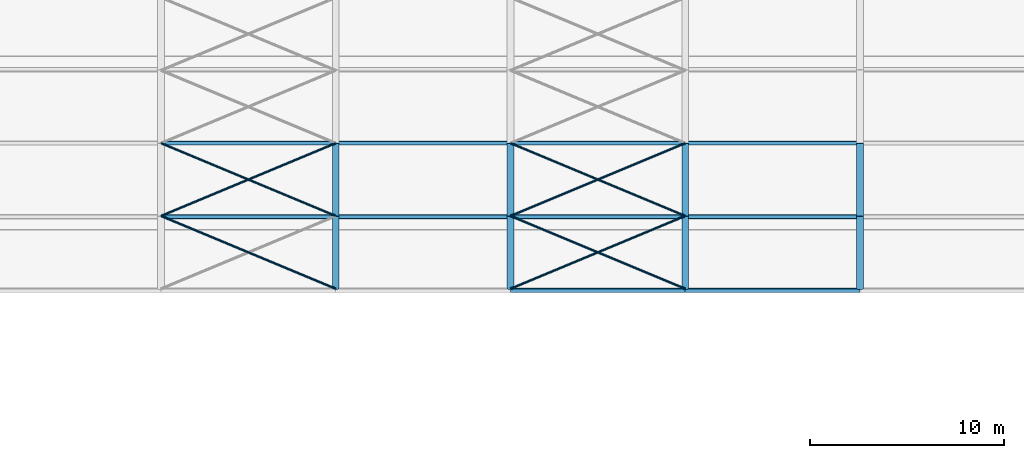
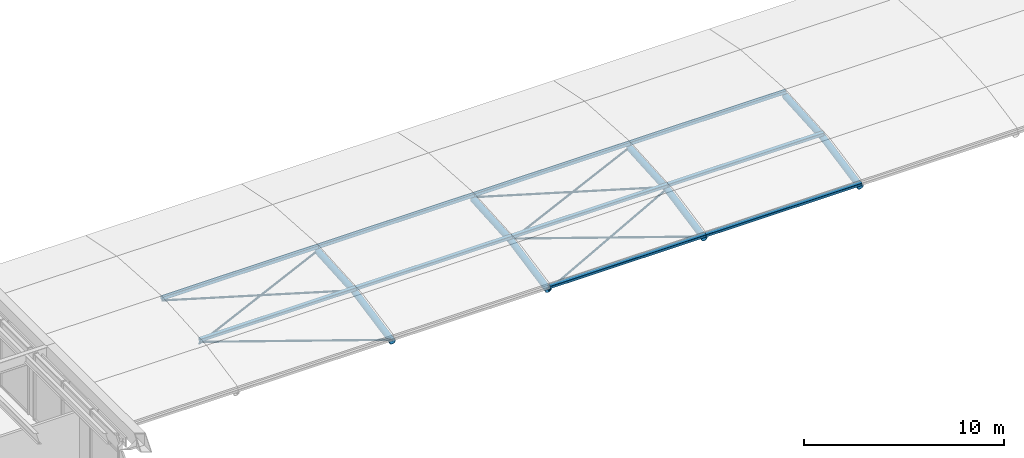
# One storey, part 5 of 43: 25 members.
"""IFC4 building model written with IfcOpenShell, lengths in metres."""

import ifcopenshell
import ifcopenshell.guid

model = None  # the IFC model being written
_history = None  # IfcOwnerHistory: only IFC2X3 demands one
_inside = {}  # id of a spatial element -> (the spatial element, [elements in it])
_under = {}  # id of a project, library or spatial element -> (it, [spatial elements below it])
_declared = {}  # id of a project -> (the project, [libraries it declares])
_typed = {}  # id of a type object -> (the type object, [elements of that type])
_made_of = {}  # id of a material, layer set ... -> (it, [elements and type objects made of it])


def new_model(schema):
    """Start an empty IFC model of exactly this schema.

    Asked for "IFC4X3", IfcOpenShell would pick the latest addendum, in which some entities
    have other attributes; the version numbers below select the first issue.
    IFC2X3 requires an IfcOwnerHistory on every rooted entity: one is made here for all.
    """
    global model, _history
    if schema == "IFC4X3":
        model = ifcopenshell.file(schema_version=(4, 3, 0, 0))
    else:
        model = ifcopenshell.file(schema=schema)
    _inside.clear()
    _under.clear()
    _declared.clear()
    _typed.clear()
    _made_of.clear()
    _history = None
    if model.schema == "IFC2X3":
        org = make("IfcOrganization", Name="unknown")
        user = make(
            "IfcPersonAndOrganization",
            ThePerson=make("IfcPerson", FamilyName="unknown"),
            TheOrganization=org,
        )
        app = make(
            "IfcApplication",
            ApplicationDeveloper=org,
            Version="unknown",
            ApplicationFullName="unknown",
            ApplicationIdentifier="unknown",
        )
        _history = make(
            "IfcOwnerHistory",
            OwningUser=user,
            OwningApplication=app,
            ChangeAction="ADDED",
            CreationDate=0,
        )
    return model


def make(cls, **values):
    """One entity of the class cls with the attributes given. An attribute that is None is left unset."""
    return model.create_entity(
        cls, **{name: value for name, value in values.items() if value is not None}
    )


def rooted(cls, **values):
    """An entity with a GlobalId (a new one), such as an element, a storey or a relation."""
    return make(cls, GlobalId=ifcopenshell.guid.new(), OwnerHistory=_history, **values)


def si_unit(unit_type, name, prefix=None):
    """IfcSIUnit, for example si_unit("LENGTHUNIT", "METRE", prefix="MILLI")."""
    return make("IfcSIUnit", UnitType=unit_type, Prefix=prefix, Name=name)


def assignment(units):
    """IfcUnitAssignment: the units of a project."""
    return None if units is None else make("IfcUnitAssignment", Units=units)


def point(xyz):
    """IfcCartesianPoint."""
    return None if xyz is None else make("IfcCartesianPoint", Coordinates=xyz)


def direction(xyz):
    """IfcDirection."""
    return None if xyz is None else make("IfcDirection", DirectionRatios=xyz)


def frame(location, z_axis=None, x_axis=None):
    """IfcAxis2Placement3D, a coordinate frame: its origin and axes. An axis left out is left unset."""
    return make(
        "IfcAxis2Placement3D",
        Location=point(location),
        Axis=direction(z_axis),
        RefDirection=direction(x_axis),
    )


def frame_2d(location, x_axis=None):
    """IfcAxis2Placement2D, a coordinate frame in the plane: its origin and x axis."""
    return make(
        "IfcAxis2Placement2D", Location=point(location), RefDirection=direction(x_axis)
    )


def origin():
    """The frame at (0, 0, 0) with its axes left unset."""
    return frame((0.0, 0.0, 0.0))


def origin_2d():
    """The frame at (0, 0) in the plane with its x axis left unset."""
    return frame_2d((0.0, 0.0))


def place(relative_to, where):
    """IfcLocalPlacement: puts the frame where relative to a parent placement (None: the world)."""
    return make(
        "IfcLocalPlacement", PlacementRelTo=relative_to, RelativePlacement=where
    )


def context(
    kind, dimensions, precision=None, world=None, true_north=None, identifier=None
):
    """IfcGeometricRepresentationContext, for example the 3D "Model" context."""
    return make(
        "IfcGeometricRepresentationContext",
        ContextIdentifier=identifier,
        ContextType=kind,
        CoordinateSpaceDimension=dimensions,
        Precision=precision,
        WorldCoordinateSystem=world,
        TrueNorth=true_north,
    )


def subcontext(parent, identifier, kind, view, scale=None):
    """IfcGeometricRepresentationSubContext, for example "Body" below "Model"."""
    return make(
        "IfcGeometricRepresentationSubContext",
        ContextIdentifier=identifier,
        ContextType=kind,
        ParentContext=parent,
        TargetScale=scale,
        TargetView=view,
    )


def project(units=None, contexts=None):
    """IfcProject with its units and contexts."""
    return rooted(
        "IfcProject",
        Name="project",
        RepresentationContexts=contexts,
        UnitsInContext=assignment(units),
    )


def spatial(cls, under=None, at=None, **own):
    """A site, building, storey or space (cls), placed at a placement, below another one or the project."""
    s = rooted(cls, ObjectPlacement=at, **own)
    if under is not None:
        _under.setdefault(under.id(), (under, []))[1].append(s)
    return s


def profile(cls, at=None, kind="AREA", **sizes):
    """A parametric profile (cls). Its sizes go by their IFC names, for example OverallWidth=200.0."""
    return make(cls, ProfileType=kind, Position=at, **sizes)


def hollow_rectangle(**sizes):
    """IfcRectangleHollowProfileDef."""
    return profile("IfcRectangleHollowProfileDef", **sizes)


def hollow_circle(**sizes):
    """IfcCircleHollowProfileDef."""
    return profile("IfcCircleHollowProfileDef", **sizes)


def extrude(swept, where, along, depth):
    """IfcExtrudedAreaSolid: the profile swept, set in the frame where, extruded along a direction by depth."""
    return make(
        "IfcExtrudedAreaSolid",
        SweptArea=swept,
        Position=where,
        ExtrudedDirection=direction(along),
        Depth=depth,
    )


def shape(context_of_items, identifier, shape_type, items):
    """IfcShapeRepresentation: the items that make up one representation, for example the "Body"."""
    return make(
        "IfcShapeRepresentation",
        ContextOfItems=context_of_items,
        RepresentationIdentifier=identifier,
        RepresentationType=shape_type,
        Items=items,
    )


def material(Name=None, Category=None):
    """IfcMaterial."""
    return make("IfcMaterial", Name=Name, Category=Category)


def material_profile(
    of_material, cross_section, Name=None, Category=None, Priority=None
):
    """IfcMaterialProfile: a cross section and its material."""
    return make(
        "IfcMaterialProfile",
        Name=Name,
        Material=of_material,
        Profile=cross_section,
        Priority=Priority,
        Category=Category,
    )


def profile_set(profiles, Name=None, composite=None):
    """IfcMaterialProfileSet."""
    return make(
        "IfcMaterialProfileSet",
        Name=Name,
        MaterialProfiles=profiles,
        CompositeProfile=composite,
    )


def made_of(thing, what):
    """Note that an element or type object is made of a material, layer set ...; save() writes the relation."""
    if what is not None:
        _made_of.setdefault(what.id(), (what, []))[1].append(thing)
    return thing


def type_object(cls, material=None, **own):
    """A type object (cls), such as IfcWallType, which elements share."""
    return made_of(rooted(cls, **own), material)


def element(
    cls,
    number,
    at=None,
    inside=None,
    cuts=None,
    type_object=None,
    material=None,
    context=None,
    identifier="Body",
    shape_type=None,
    held_by="IfcProductDefinitionShape",
    body=None,
    shapes=None,
    **own,
):
    """One element of the class cls, such as IfcWall. Its Tag is "e" and its number.

    at: its placement. inside: the storey or other place that contains it. cuts: it is an
    opening in that element (IfcRelVoidsElement). A single representation is given by context,
    identifier, shape_type and body (its items); several are given by shapes. held_by: the class
    of the entity that holds the representations. save() writes the other relations.
    """
    e = rooted(cls, Tag="e%d" % number, ObjectPlacement=at, **own)
    if body is not None:
        shapes = [shape(context, identifier, shape_type, body)]
    if shapes is not None:
        e.Representation = make(held_by, Representations=shapes)
    if inside is not None:
        _inside.setdefault(inside.id(), (inside, []))[1].append(e)
    if cuts is not None:
        rooted(
            "IfcRelVoidsElement", RelatingBuildingElement=cuts, RelatedOpeningElement=e
        )
    if type_object is not None:
        _typed.setdefault(type_object.id(), (type_object, []))[1].append(e)
    return made_of(e, material)


def aggregate(whole, parts):
    """IfcRelAggregates: a whole, such as a stair, and the parts it consists of."""
    return rooted("IfcRelAggregates", RelatingObject=whole, RelatedObjects=parts)


def save(model, path):
    """Write the relations noted so far, then the file.

    IfcRelAggregates (storeys below a building ...), IfcRelContainedInSpatialStructure (elements
    in a storey), IfcRelDefinesByType, IfcRelAssociatesMaterial and IfcRelDeclares: one each for
    every whole, place, type object, material and project.
    """
    for whole, parts in _under.values():
        aggregate(whole, parts)
    for where, things in _inside.values():
        rooted(
            "IfcRelContainedInSpatialStructure",
            RelatedElements=things,
            RelatingStructure=where,
        )
    for kind, things in _typed.values():
        rooted("IfcRelDefinesByType", RelatedObjects=things, RelatingType=kind)
    for what, things in _made_of.values():
        rooted("IfcRelAssociatesMaterial", RelatedObjects=things, RelatingMaterial=what)
    for by, libraries in _declared.values():
        rooted("IfcRelDeclares", RelatingContext=by, RelatedDefinitions=libraries)
    model.write(path)


model = new_model("IFC4")

# Units and contexts
model_context = context("Model", 3, precision=1e-05, world=origin(), true_north=direction((0.0, 1.0)))
body_context = subcontext(model_context, "Body", "Model", "MODEL_VIEW")
ifc_project = project(units=[si_unit("LENGTHUNIT", "METRE"), si_unit("AREAUNIT", "SQUARE_METRE"), si_unit("VOLUMEUNIT", "CUBIC_METRE"), si_unit("PLANEANGLEUNIT", "RADIAN"), si_unit("MASSUNIT", "GRAM", prefix="KILO")], contexts=[model_context])

# Site, building, storey
site_placement = place(None, origin())
site = spatial("IfcSite", under=ifc_project, at=site_placement, CompositionType="ELEMENT")
building_placement = place(site_placement, origin())
building = spatial("IfcBuilding", under=site, at=building_placement, Name="Baradari Gate Terminus", CompositionType="ELEMENT")
storey_placement = place(building_placement, frame((0.0, 0.0, 20.10009765625)))
storey = spatial("IfcBuildingStorey", under=building, at=storey_placement, Name="L04", CompositionType="ELEMENT", Elevation=20.10009765625)

# Members
ifc_material_1 = material(Name="Steel S355", Category="steel")
ifc_material_profile_1 = material_profile(ifc_material_1, hollow_rectangle(XDim=0.199951171875, YDim=0.199951171875, WallThickness=0.008056640625, InnerFilletRadius=0.008056640625, OuterFilletRadius=0.01611328125, at=origin_2d()), Name="SHS 200x200x8")
ifc_profile_set_1 = profile_set([ifc_material_profile_1], Name="Steel S355")
member_type_1 = type_object("IfcMemberType", Name="Shed purlin SHS 200x200x8", PredefinedType="PURLIN", material=ifc_profile_set_1)
for number, where, z_axis, x_axis, name in (
    (1, (99.0, 54.715087890625, 0.75), (1.0, 0.0, 0.0), (0.0, 0.99130302961, 0.131599025396), "TR/L04/B108-PU05"),
    (2, (99.0, 58.5, 1.002197265625), (1.0, 0.0, 0.0), (0.0, 1.0, 0.0), "TR/L04/B108-PU06"),
    (3, (108.0, 54.715087890625, 0.75), (1.0, 0.0, 0.0), (0.0, 0.99130302961, 0.131599025396), "TR/L04/B117-PU05"),
    (4, (108.0, 58.5, 1.002197265625), (1.0, 0.0, 0.0), (0.0, 1.0, 0.0), "TR/L04/B117-PU06"),
    (5, (117.0, 50.931884765625, -0.006591796875), (1.0, 0.0, 0.0), (0.0, 0.966499648767, 0.256667935149), "TR/L04/B126-PU04"),
    (6, (117.0, 54.715087890625, 0.75), (1.0, 0.0, 0.0), (0.0, 0.99130302961, 0.131599025396), "TR/L04/B126-PU05"),
    (7, (117.0, 58.5, 1.002197265625), (1.0, 0.0, 0.0), (0.0, 1.0, 0.0), "TR/L04/B126-PU06"),
    (8, (126.0, 50.931884765625, -0.006591796875), (1.0, 0.0, 0.0), (0.0, 0.966499648767, 0.256667935149), "TR/L04/B135-PU04"),
    (9, (126.0, 54.715087890625, 0.75), (1.0, 0.0, 0.0), (0.0, 0.99130302961, 0.131599025396), "TR/L04/B135-PU05"),
    (10, (126.0, 58.5, 1.002197265625), (1.0, 0.0, 0.0), (0.0, 1.0, 0.0), "TR/L04/B135-PU06"),
):
    element("IfcMember", number, at=place(storey_placement, frame(where, z_axis=z_axis, x_axis=x_axis)), inside=storey, type_object=member_type_1, Name=name, PredefinedType="PURLIN", context=body_context, shape_type="SweptSolid", body=[
        extrude(hollow_rectangle(XDim=0.199951171875, YDim=0.199951171875, WallThickness=0.008056640625, InnerFilletRadius=0.008056640625, OuterFilletRadius=0.01611328125, at=origin_2d()), origin(), (0.0, 0.0, 1.0), 9.0),
    ])
ifc_material_2 = material(Name="Steel S355", Category="steel")
ifc_material_profile_2 = material_profile(ifc_material_2, hollow_circle(Radius=0.05712890625, WallThickness=0.00634765625, at=origin_2d()), Name="CHS 114.3x6.3")
ifc_profile_set_2 = profile_set([ifc_material_profile_2], Name="Steel S355")
member_type_2 = type_object("IfcMemberType", Name="Shed roof brace CHS 114.3x6.3", PredefinedType="BRACE", material=ifc_profile_set_2)
member_1_placement = place(storey_placement, frame((108.0, 51.0, -0.1494140625), z_axis=(-0.920357986617, 0.383482494424, 0.076696498885), x_axis=(-0.384615384615, -0.923076923077, 0.0)))
element("IfcMember", 11, at=member_1_placement, inside=storey, type_object=member_type_2, Name="TR/L04/B108-RB04B", PredefinedType="BRACE", context=body_context, shape_type="SweptSolid", body=[
    extrude(hollow_circle(Radius=0.05712890625, WallThickness=0.00634765625, at=origin_2d()), origin(), (0.0, 0.0, 1.0), 9.77880859375),
])
for number, where, z_axis, x_axis, name in (
    (12, (99.0, 54.75, 0.486328125), (0.922773628532, 0.384489011888, 0.025632600793), (-0.384615384615, 0.923076923077, 0.0), "TR/L04/B108-RB05A"),
    (13, (108.0, 54.75, 0.6005859375), (-0.922773628532, 0.384489011888, 0.025632600793), (-0.384615384615, -0.923076923077, 0.0), "TR/L04/B108-RB05B"),
):
    element("IfcMember", number, at=place(storey_placement, frame(where, z_axis=z_axis, x_axis=x_axis)), inside=storey, type_object=member_type_2, Name=name, PredefinedType="BRACE", context=body_context, shape_type="SweptSolid", body=[
        extrude(hollow_circle(Radius=0.05712890625, WallThickness=0.00634765625, at=origin_2d()), origin(), (0.0, 0.0, 1.0), 9.753173828125),
    ])
for number, where, z_axis, x_axis, name in (
    (14, (117.0, 51.0, -0.263671875), (0.920357986617, 0.383482494424, 0.076696498885), (-0.384615384615, 0.923076923077, 0.0), "TR/L04/B126-RB04A"),
    (15, (126.0, 51.0, -0.1494140625), (-0.920357986617, 0.383482494424, 0.076696498885), (-0.384615384615, -0.923076923077, 0.0), "TR/L04/B126-RB04B"),
):
    element("IfcMember", number, at=place(storey_placement, frame(where, z_axis=z_axis, x_axis=x_axis)), inside=storey, type_object=member_type_2, Name=name, PredefinedType="BRACE", context=body_context, shape_type="SweptSolid", body=[
        extrude(hollow_circle(Radius=0.05712890625, WallThickness=0.00634765625, at=origin_2d()), origin(), (0.0, 0.0, 1.0), 9.77880859375),
    ])
for number, where, z_axis, x_axis, name in (
    (16, (117.0, 54.75, 0.486328125), (0.922773628532, 0.384489011888, 0.025632600793), (-0.384615384615, 0.923076923077, 0.0), "TR/L04/B126-RB05A"),
    (17, (126.0, 54.75, 0.6005859375), (-0.922773628532, 0.384489011888, 0.025632600793), (-0.384615384615, -0.923076923077, 0.0), "TR/L04/B126-RB05B"),
):
    element("IfcMember", number, at=place(storey_placement, frame(where, z_axis=z_axis, x_axis=x_axis)), inside=storey, type_object=member_type_2, Name=name, PredefinedType="BRACE", context=body_context, shape_type="SweptSolid", body=[
        extrude(hollow_circle(Radius=0.05712890625, WallThickness=0.00634765625, at=origin_2d()), origin(), (0.0, 0.0, 1.0), 9.753173828125),
    ])
ifc_material_3 = material(Name="Steel S355", Category="steel")
ifc_material_profile_3 = material_profile(ifc_material_3, hollow_circle(Radius=0.177734375, WallThickness=0.01611328125, at=origin_2d()), Name="CHS 355.6x16")
ifc_profile_set_3 = profile_set([ifc_material_profile_3], Name="Steel S355")
member_type_3 = type_object("IfcMemberType", Name="Shed top chord CHS 355.6x16", PredefinedType="CHORD", material=ifc_profile_set_3)
member_2_placement = place(storey_placement, frame((108.0, 51.0, -0.263671875), z_axis=(0.0, 0.980580675691, 0.196116135138), x_axis=(-1.0, 0.0, 0.0)))
element("IfcMember", 18, at=member_2_placement, inside=storey, type_object=member_type_3, Name="TR/L04/S108-TC04", PredefinedType="CHORD", context=body_context, shape_type="SweptSolid", body=[
    extrude(hollow_circle(Radius=0.177734375, WallThickness=0.01611328125, at=origin_2d()), origin(), (0.0, 0.0, 1.0), 3.82421875),
])
member_3_placement = place(storey_placement, frame((108.0, 54.75, 0.486328125), z_axis=(0.0, 0.997785157857, 0.066519010524), x_axis=(-1.0, 0.0, 0.0)))
element("IfcMember", 19, at=member_3_placement, inside=storey, type_object=member_type_3, Name="TR/L04/S108-TC05", PredefinedType="CHORD", context=body_context, shape_type="SweptSolid", body=[
    extrude(hollow_circle(Radius=0.177734375, WallThickness=0.01611328125, at=origin_2d()), origin(), (0.0, 0.0, 1.0), 3.75830078125),
])
member_4_placement = place(storey_placement, frame((117.0, 51.0, -0.263671875), z_axis=(0.0, 0.980580675691, 0.196116135138), x_axis=(-1.0, 0.0, 0.0)))
element("IfcMember", 20, at=member_4_placement, inside=storey, type_object=member_type_3, Name="TR/L04/S117-TC04", PredefinedType="CHORD", context=body_context, shape_type="SweptSolid", body=[
    extrude(hollow_circle(Radius=0.177734375, WallThickness=0.01611328125, at=origin_2d()), origin(), (0.0, 0.0, 1.0), 3.82421875),
])
member_5_placement = place(storey_placement, frame((117.0, 54.75, 0.486328125), z_axis=(0.0, 0.997785157857, 0.066519010524), x_axis=(-1.0, 0.0, 0.0)))
element("IfcMember", 21, at=member_5_placement, inside=storey, type_object=member_type_3, Name="TR/L04/S117-TC05", PredefinedType="CHORD", context=body_context, shape_type="SweptSolid", body=[
    extrude(hollow_circle(Radius=0.177734375, WallThickness=0.01611328125, at=origin_2d()), origin(), (0.0, 0.0, 1.0), 3.75830078125),
])
member_6_placement = place(storey_placement, frame((126.0, 51.0, -0.263671875), z_axis=(0.0, 0.980580675691, 0.196116135138), x_axis=(-1.0, 0.0, 0.0)))
element("IfcMember", 22, at=member_6_placement, inside=storey, type_object=member_type_3, Name="TR/L04/S126-TC04", PredefinedType="CHORD", context=body_context, shape_type="SweptSolid", body=[
    extrude(hollow_circle(Radius=0.177734375, WallThickness=0.01611328125, at=origin_2d()), origin(), (0.0, 0.0, 1.0), 3.82421875),
])
member_7_placement = place(storey_placement, frame((126.0, 54.75, 0.486328125), z_axis=(0.0, 0.997785157857, 0.066519010524), x_axis=(-1.0, 0.0, 0.0)))
element("IfcMember", 23, at=member_7_placement, inside=storey, type_object=member_type_3, Name="TR/L04/S126-TC05", PredefinedType="CHORD", context=body_context, shape_type="SweptSolid", body=[
    extrude(hollow_circle(Radius=0.177734375, WallThickness=0.01611328125, at=origin_2d()), origin(), (0.0, 0.0, 1.0), 3.75830078125),
])
member_8_placement = place(storey_placement, frame((135.0, 51.0, -0.263671875), z_axis=(0.0, 0.980580675691, 0.196116135138), x_axis=(-1.0, 0.0, 0.0)))
element("IfcMember", 24, at=member_8_placement, inside=storey, type_object=member_type_3, Name="TR/L04/S135-TC04", PredefinedType="CHORD", context=body_context, shape_type="SweptSolid", body=[
    extrude(hollow_circle(Radius=0.177734375, WallThickness=0.01611328125, at=origin_2d()), origin(), (0.0, 0.0, 1.0), 3.82421875),
])
member_9_placement = place(storey_placement, frame((135.0, 54.75, 0.486328125), z_axis=(0.0, 0.997785157857, 0.066519010524), x_axis=(-1.0, 0.0, 0.0)))
element("IfcMember", 25, at=member_9_placement, inside=storey, type_object=member_type_3, Name="TR/L04/S135-TC05", PredefinedType="CHORD", context=body_context, shape_type="SweptSolid", body=[
    extrude(hollow_circle(Radius=0.177734375, WallThickness=0.01611328125, at=origin_2d()), origin(), (0.0, 0.0, 1.0), 3.75830078125),
])

save(model, "model.ifc")
